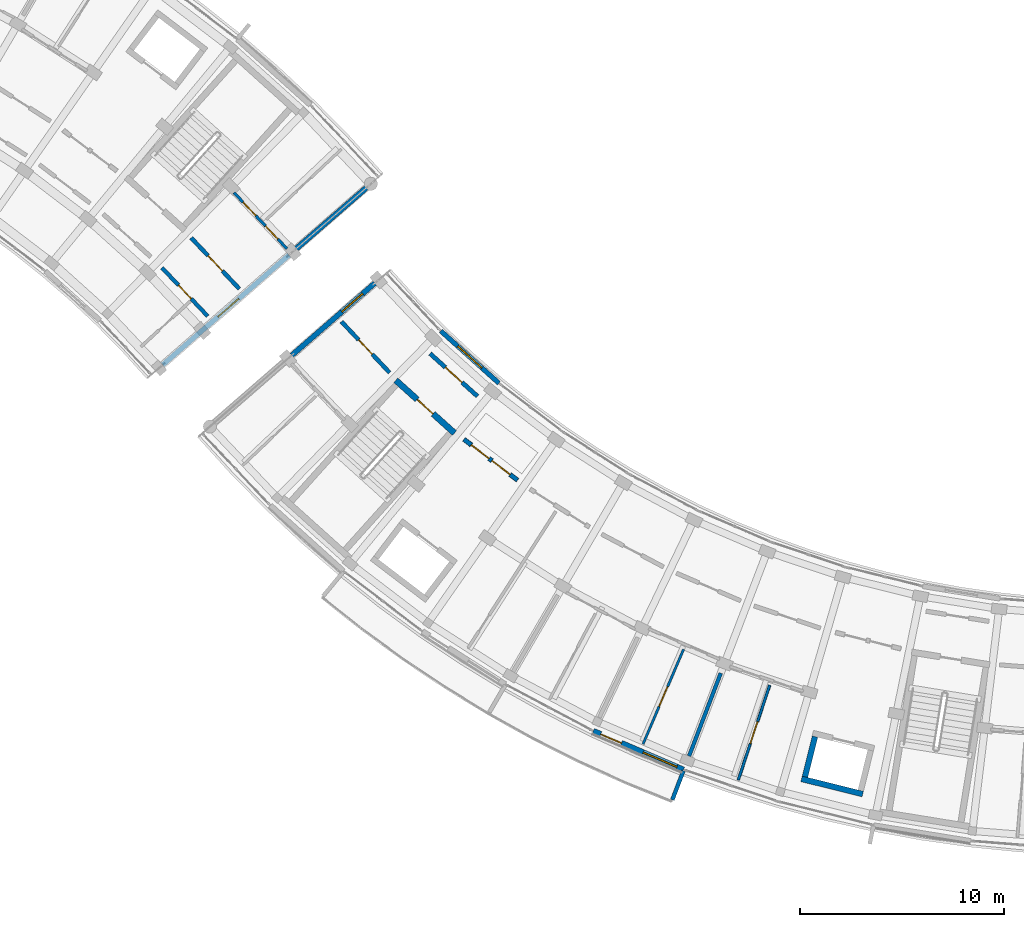
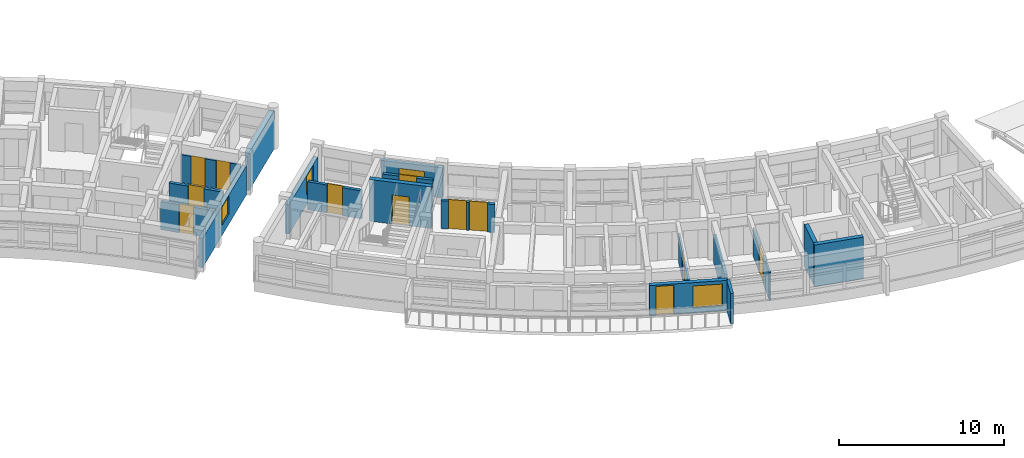
# One storey, part 35 of 50: 18 walls, 12 doors, 4 windows, 16 openings.
"""IFC4 building model written with IfcOpenShell, lengths in metres."""

from ifc_helpers import new_model, si_unit, direction, frame, frame_2d, origin, place, context, subcontext, project, spatial, rectangle, extrude, material, layer, layer_set, type_object, element, fill, save


model = new_model("IFC4")

# Units and contexts
model_context = context("Model", 3, precision=1e-05, world=origin(), true_north=direction((0.0, 1.0)))
body_context = subcontext(model_context, "Body", "Model", "MODEL_VIEW")
ifc_project = project(units=[si_unit("LENGTHUNIT", "METRE"), si_unit("AREAUNIT", "SQUARE_METRE"), si_unit("VOLUMEUNIT", "CUBIC_METRE"), si_unit("PLANEANGLEUNIT", "RADIAN"), si_unit("MASSUNIT", "GRAM", prefix="KILO")], contexts=[model_context])

# Site, building, storey
site_placement = place(None, origin())
site = spatial("IfcSite", under=ifc_project, at=site_placement, CompositionType="ELEMENT")
building_placement = place(site_placement, origin())
building = spatial("IfcBuilding", under=site, at=building_placement, Name="Zimvara Arc Housing Community", CompositionType="ELEMENT")
storey_placement = place(building_placement, frame((0.0, 0.0, 26.699951171875)))
storey = spatial("IfcBuildingStorey", under=building, at=storey_placement, Name="L08", CompositionType="ELEMENT", Elevation=26.699951171875)

# Wall, opening, window
ifc_material_1 = material(Name="Board-Marked Fair-Faced Concrete C35/45", Category="concrete")
ifc_layer_1 = layer(ifc_material_1, 0.22998046875)
ifc_layer_set_1 = layer_set([ifc_layer_1], Name="Board-Marked Fair-Faced Concrete C35/45")
wall_type_1 = type_object("IfcWallType", Name="EWL-CONC-230", PredefinedType="SOLIDWALL", material=ifc_layer_set_1)
wall_1_placement = place(storey_placement, frame((92.8642578125, 75.919921875, 0.0), z_axis=(0.0, 0.0, 1.0), x_axis=(0.743363835609, -0.668887290886, 0.0)))
wall_1 = element("IfcWall", 1, at=wall_1_placement, inside=storey, type_object=wall_type_1, Name="ewall:blkC:L08:in:b1", PredefinedType="SOLIDWALL", context=body_context, shape_type="SweptSolid", body=[
    extrude(rectangle(XDim=3.83203125, YDim=0.22998046875, at=frame_2d((1.916015625, 0.0))), origin(), (0.0, 0.0, 1.0), 2.25),
])
opening_1_placement = place(wall_1_placement, frame((1.1162109375, 0.0, 0.320068359375)))
opening_1 = element("IfcOpeningElement", 2, at=opening_1_placement, cuts=wall_1, Name="Opening W03", PredefinedType="OPENING", context=body_context, shape_type="SweptSolid", body=[
    extrude(rectangle(XDim=1.60009765625, YDim=1.5, at=frame_2d((0.800048828125, 0.75))), frame((0.0, 0.125, 0.0), z_axis=(0.0, -1.0, 0.0), x_axis=(1.0, 0.0, 0.0)), (0.0, 0.0, 1.0), 0.25),
])
ifc_material_2 = material(Name="Solar Control Low-E Double Glazing", Category="glass")
window_type_1 = type_object("IfcWindowType", Name="WIN-RES-1600x1500", PartitioningType="DOUBLE_PANEL_VERTICAL", PredefinedType="WINDOW", material=ifc_material_2)
window_1_placement = place(opening_1_placement, origin())
window_1 = element("IfcWindow", 3, at=window_1_placement, inside=storey, type_object=window_type_1, Name="win:blkC:L08:in:b1", OverallHeight=1.5, OverallWidth=1.60009765625, PartitioningType="DOUBLE_PANEL_VERTICAL", PredefinedType="WINDOW", context=body_context, shape_type="SweptSolid", body=[
    extrude(rectangle(XDim=1.60009765625, YDim=1.5, at=frame_2d((0.800048828125, 0.75))), frame((0.0, 0.030029296875, 0.0), z_axis=(0.0, -1.0, 0.0), x_axis=(1.0, 0.0, 0.0)), (0.0, 0.0, 1.0), 0.06005859375),
])
fill(opening_1, window_1)

ifc_material_3 = material(Name="Board-Marked Fair-Faced Concrete C35/45", Category="concrete")
ifc_layer_2 = layer(ifc_material_3, 0.2548828125)
ifc_layer_set_2 = layer_set([ifc_layer_2], Name="Board-Marked Fair-Faced Concrete C35/45")
wall_type_2 = type_object("IfcWallType", Name="EWL-CONC-255", PredefinedType="SOLIDWALL", material=ifc_layer_set_2)
wall_2_placement = place(storey_placement, frame((79.233642578125, 74.2587890625, 0.0), z_axis=(0.0, 0.0, 1.0), x_axis=(0.754717680958, 0.656049710044, 0.0)))
wall_2 = element("IfcWall", 4, at=wall_2_placement, inside=storey, type_object=wall_type_2, Name="ewall:blkB:L08:gN", PredefinedType="SOLIDWALL", context=body_context, shape_type="SweptSolid", body=[
    extrude(rectangle(XDim=8.199951171875, YDim=0.2548828125, at=frame_2d((4.10009765625, 0.0))), origin(), (0.0, 0.0, 1.0), 2.179931640625),
])
opening_2_placement = place(wall_2_placement, frame((3.590087890625, 0.0, 0.75)))
opening_2 = element("IfcOpeningElement", 5, at=opening_2_placement, cuts=wall_2, Name="Opening W12", PredefinedType="OPENING", context=body_context, shape_type="SweptSolid", body=[
    extrude(rectangle(XDim=1.35009765625, YDim=1.35009765625, at=frame_2d((0.675048828125, 0.675048828125))), frame((0.0, 0.137451171875, 0.0), z_axis=(0.0, -1.0, 0.0), x_axis=(1.0, 0.0, 0.0)), (0.0, 0.0, 1.0), 0.27490234375),
])
ifc_material_4 = material(Name="Solar Control Low-E Double Glazing", Category="glass")
window_type_2 = type_object("IfcWindowType", Name="WIN-RES-1350x1350", PartitioningType="DOUBLE_PANEL_VERTICAL", PredefinedType="WINDOW", material=ifc_material_4)
window_2_placement = place(opening_2_placement, origin())
window_2 = element("IfcWindow", 6, at=window_2_placement, inside=storey, type_object=window_type_2, Name="win:blkB:L08:gN:w", OverallHeight=1.35009765625, OverallWidth=1.35009765625, PartitioningType="DOUBLE_PANEL_VERTICAL", PredefinedType="WINDOW", context=body_context, shape_type="SweptSolid", body=[
    extrude(rectangle(XDim=1.35009765625, YDim=1.35009765625, at=frame_2d((0.675048828125, 0.675048828125))), frame((0.0, 0.030029296875, 0.0), z_axis=(0.0, -1.0, 0.0), x_axis=(1.0, 0.0, 0.0)), (0.0, 0.0, 1.0), 0.06005859375),
])
fill(opening_2, window_2)

wall_3_placement = place(storey_placement, frame((89.63330078125, 78.26416015625, 0.0), z_axis=(0.0, 0.0, 1.0), x_axis=(-0.754709658894, -0.65605893849, 0.0)))
wall_3 = element("IfcWall", 7, at=wall_3_placement, inside=storey, type_object=wall_type_2, Name="ewall:blkC:L08:g0", PredefinedType="SOLIDWALL", context=body_context, shape_type="SweptSolid", body=[
    extrude(rectangle(XDim=5.39990234375, YDim=0.2548828125, at=frame_2d((2.699951171875, 0.0))), origin(), (0.0, 0.0, 1.0), 2.179931640625),
])
opening_3_placement = place(wall_3_placement, frame((0.7900390625, 0.0, 0.75)))
opening_3 = element("IfcOpeningElement", 8, at=opening_3_placement, cuts=wall_3, Name="Opening W12", PredefinedType="OPENING", context=body_context, shape_type="SweptSolid", body=[
    extrude(rectangle(XDim=1.35009765625, YDim=1.35009765625, at=frame_2d((0.675048828125, 0.675048828125))), frame((0.0, 0.137451171875, 0.0), z_axis=(0.0, -1.0, 0.0), x_axis=(1.0, 0.0, 0.0)), (0.0, 0.0, 1.0), 0.27490234375),
])
window_3_placement = place(opening_3_placement, origin())
window_3 = element("IfcWindow", 9, at=window_3_placement, inside=storey, type_object=window_type_2, Name="win:blkC:L08:g0:w", OverallHeight=1.35009765625, OverallWidth=1.35009765625, PartitioningType="DOUBLE_PANEL_VERTICAL", PredefinedType="WINDOW", context=body_context, shape_type="SweptSolid", body=[
    extrude(rectangle(XDim=1.35009765625, YDim=1.35009765625, at=frame_2d((0.675048828125, 0.675048828125))), frame((0.0, 0.030029296875, 0.0), z_axis=(0.0, -1.0, 0.0), x_axis=(1.0, 0.0, 0.0)), (0.0, 0.0, 1.0), 0.06005859375),
])
fill(opening_3, window_3)

# Wall
ifc_material_5 = material(Name="Board-Marked Fair-Faced Concrete C35/45", Category="concrete")
ifc_layer_3 = layer(ifc_material_5, 0.195068359375)
ifc_layer_set_3 = layer_set([ifc_layer_3], Name="Board-Marked Fair-Faced Concrete C35/45")
wall_type_3 = type_object("IfcWallType", Name="EWL-PARA-195", PredefinedType="PARAPET", material=ifc_layer_set_3)
wall_4_placement = place(storey_placement, frame((104.76318359375, 54.35693359375, 0.0), z_axis=(0.0, 0.0, 1.0), x_axis=(-0.356957296461, -0.934120703391, 0.0)))
element("IfcWall", 10, at=wall_4_placement, inside=storey, type_object=wall_type_3, Name="finwall:blkC:L08:out:b6", PredefinedType="PARAPET", context=body_context, shape_type="SweptSolid", body=[
    extrude(rectangle(XDim=1.530029296875, YDim=0.195068359375, at=frame_2d((0.76513671875, 0.0))), origin(), (0.0, 0.0, 1.0), 2.25),
])

# Wall, openings, door, window
ifc_material_6 = material(Name="Board-Marked Fair-Faced Concrete C35/45", Category="concrete")
ifc_layer_4 = layer(ifc_material_6, 0.281982421875)
ifc_layer_set_4 = layer_set([ifc_layer_4], Name="Board-Marked Fair-Faced Concrete C35/45")
wall_type_4 = type_object("IfcWallType", Name="EWL-VAR-24", PredefinedType="SOLIDWALL", material=ifc_layer_set_4)
wall_5_placement = place(storey_placement, frame((100.341064453125, 56.30126953125, 0.0), z_axis=(0.0, 0.0, 1.0), x_axis=(0.918737524932, -0.39486878869, 0.0)))
wall_5 = element("IfcWall", 11, at=wall_5_placement, inside=storey, type_object=wall_type_4, Name="ewall:blkC:L08:out:b5", PredefinedType="SOLIDWALL", context=body_context, shape_type="SweptSolid", body=[
    extrude(rectangle(XDim=4.80908203125, YDim=0.281982421875, at=frame_2d((2.404541015625, 0.0))), origin(), (0.0, 0.0, 1.0), 2.25),
])
opening_4_placement = place(wall_5_placement, frame((0.39990234375, 0.0, 0.0)))
opening_4 = element("IfcOpeningElement", 12, at=opening_4_placement, cuts=wall_5, Name="Opening ED06", PredefinedType="OPENING", context=body_context, shape_type="SweptSolid", body=[
    extrude(rectangle(XDim=1.10009765625, YDim=2.14990234375, at=frame_2d((0.550048828125, 1.074951171875))), frame((0.0, 0.15087890625, 0.0), z_axis=(0.0, -1.0, 0.0), x_axis=(1.0, 0.0, 0.0)), (0.0, 0.0, 1.0), 0.302001953125),
])
opening_5_placement = place(wall_5_placement, frame((2.658935546875, 0.0, 0.35009765625)))
opening_5 = element("IfcOpeningElement", 13, at=opening_5_placement, cuts=wall_5, Name="Opening W08", PredefinedType="OPENING", context=body_context, shape_type="SweptSolid", body=[
    extrude(rectangle(XDim=1.800048828125, YDim=1.64990234375, at=frame_2d((0.89990234375, 0.824951171875))), frame((0.0, 0.15087890625, 0.0), z_axis=(0.0, -1.0, 0.0), x_axis=(1.0, 0.0, 0.0)), (0.0, 0.0, 1.0), 0.302001953125),
])
ifc_material_7 = material(Name="Anodised Aluminium AW-6063", Category="aluminium")
door_type_1 = type_object("IfcDoorType", Name="EDR-TERR-1100x2150", OperationType="NOTDEFINED", PredefinedType="DOOR", material=ifc_material_7)
door_1_placement = place(opening_4_placement, origin())
door_1 = element("IfcDoor", 14, at=door_1_placement, inside=storey, type_object=door_type_1, Name="edoor:blkC:L08:bal_out:b5", OperationType="SINGLE_SWING_LEFT", OverallHeight=2.14990234375, OverallWidth=1.10009765625, PredefinedType="DOOR", context=body_context, shape_type="SweptSolid", body=[
    extrude(rectangle(XDim=1.10009765625, YDim=2.14990234375, at=frame_2d((0.550048828125, 1.074951171875))), frame((0.0, 0.02490234375, 0.0), z_axis=(0.0, -1.0, 0.0), x_axis=(1.0, 0.0, 0.0)), (0.0, 0.0, 1.0), 0.050048828125),
])
fill(opening_4, door_1)
ifc_material_8 = material(Name="Solar Control Low-E Double Glazing", Category="glass")
window_type_3 = type_object("IfcWindowType", Name="WIN-RES-1800x1650", PartitioningType="TRIPLE_PANEL_VERTICAL", PredefinedType="WINDOW", material=ifc_material_8)
window_4_placement = place(opening_5_placement, origin())
window_4 = element("IfcWindow", 15, at=window_4_placement, inside=storey, type_object=window_type_3, Name="win:blkC:L08:out:b5:balw", OverallHeight=1.64990234375, OverallWidth=1.800048828125, PartitioningType="TRIPLE_PANEL_VERTICAL", PredefinedType="WINDOW", context=body_context, shape_type="SweptSolid", body=[
    extrude(rectangle(XDim=1.800048828125, YDim=1.64990234375, at=frame_2d((0.89990234375, 0.824951171875))), frame((0.0, 0.030029296875, 0.0), z_axis=(0.0, -1.0, 0.0), x_axis=(1.0, 0.0, 0.0)), (0.0, 0.0, 1.0), 0.06005859375),
])
fill(opening_5, window_4)

# Wall, opening, door
ifc_material_9 = material(Name="Concrete C35/45", Category="concrete")
ifc_layer_5 = layer(ifc_material_9, 0.2099609375)
ifc_layer_set_5 = layer_set([ifc_layer_5], Name="Concrete C35/45")
wall_type_5 = type_object("IfcWallType", Name="IWL-CCF-210", PredefinedType="SOLIDWALL", material=ifc_layer_set_5)
wall_6_placement = place(storey_placement, frame((92.337158203125, 74.808349609375, 0.0), z_axis=(0.0, 0.0, 1.0), x_axis=(0.743348465558, -0.668904371904, 0.0)))
wall_6 = element("IfcWall", 16, at=wall_6_placement, inside=storey, type_object=wall_type_5, Name="iwall:blkC:L08:ccf_div:b1", PredefinedType="SOLIDWALL", context=body_context, shape_type="SweptSolid", body=[
    extrude(rectangle(XDim=3.128662109375, YDim=0.2099609375, at=frame_2d((1.564453125, 0.0))), origin(), (0.0, 0.0, 1.0), 2.080078125),
])
opening_6_placement = place(wall_6_placement, frame((1.014404296875, 0.0, 0.0)))
opening_6 = element("IfcOpeningElement", 17, at=opening_6_placement, cuts=wall_6, Name="Opening FD-CCF1", PredefinedType="OPENING", context=body_context, shape_type="SweptSolid", body=[
    extrude(rectangle(XDim=1.10009765625, YDim=2.14990234375, at=frame_2d((0.550048828125, 1.074951171875))), frame((0.0, 0.114990234375, 0.0), z_axis=(0.0, -1.0, 0.0), x_axis=(1.0, 0.0, 0.0)), (0.0, 0.0, 1.0), 0.22998046875),
])
ifc_material_10 = material(Name="Anodised Aluminium AW-6063", Category="aluminium")
door_type_2 = type_object("IfcDoorType", Name="IDR-CCF-1100x2150", OperationType="NOTDEFINED", PredefinedType="DOOR", material=ifc_material_10)
door_2_placement = place(opening_6_placement, origin())
door_2 = element("IfcDoor", 18, at=door_2_placement, inside=storey, type_object=door_type_2, Name="idoor:blkC:L08:ccf_in:b1", OperationType="SINGLE_SWING_LEFT", OverallHeight=2.14990234375, OverallWidth=1.10009765625, PredefinedType="DOOR", context=body_context, shape_type="SweptSolid", body=[
    extrude(rectangle(XDim=1.10009765625, YDim=2.14990234375, at=frame_2d((0.550048828125, 1.074951171875))), frame((0.0, 0.02490234375, 0.0), z_axis=(0.0, -1.0, 0.0), x_axis=(1.0, 0.0, 0.0)), (0.0, 0.0, 1.0), 0.050048828125),
])
fill(opening_6, door_2)

# Wall, openings, doors
wall_7_placement = place(storey_placement, frame((94.001220703125, 70.6015625, 0.0), z_axis=(0.0, 0.0, 1.0), x_axis=(0.795498026433, -0.605956178235, 0.0)))
wall_7 = element("IfcWall", 19, at=wall_7_placement, inside=storey, type_object=wall_type_5, Name="iwall:blkC:L08:ll_div:b2", PredefinedType="SOLIDWALL", context=body_context, shape_type="SweptSolid", body=[
    extrude(rectangle(XDim=3.296142578125, YDim=0.2099609375, at=frame_2d((1.64794921875, 0.0))), origin(), (0.0, 0.0, 1.0), 2.080078125),
])
opening_7_placement = place(wall_7_placement, frame((0.449951171875, 0.0, 0.0)))
opening_7 = element("IfcOpeningElement", 20, at=opening_7_placement, cuts=wall_7, Name="Opening FD-CCF1", PredefinedType="OPENING", context=body_context, shape_type="SweptSolid", body=[
    extrude(rectangle(XDim=1.10009765625, YDim=2.14990234375, at=frame_2d((0.550048828125, 1.074951171875))), frame((0.0, 0.114990234375, 0.0), z_axis=(0.0, -1.0, 0.0), x_axis=(1.0, 0.0, 0.0)), (0.0, 0.0, 1.0), 0.22998046875),
])
opening_8_placement = place(wall_7_placement, frame((1.72607421875, 0.0, 0.0)))
opening_8 = element("IfcOpeningElement", 21, at=opening_8_placement, cuts=wall_7, Name="Opening D07", PredefinedType="OPENING", context=body_context, shape_type="SweptSolid", body=[
    extrude(rectangle(XDim=1.1201171875, YDim=2.14990234375, at=frame_2d((0.56005859375, 1.074951171875))), frame((0.0, 0.114990234375, 0.0), z_axis=(0.0, -1.0, 0.0), x_axis=(1.0, 0.0, 0.0)), (0.0, 0.0, 1.0), 0.22998046875),
])
ifc_material_11 = material(Name="Mozambican Hardwood", Category="wood")
door_type_3 = type_object("IfcDoorType", Name="IDR-AMN-1120x2150", OperationType="NOTDEFINED", PredefinedType="DOOR", material=ifc_material_11)
door_3_placement = place(opening_8_placement, origin())
door_3 = element("IfcDoor", 22, at=door_3_placement, inside=storey, type_object=door_type_3, Name="idoor:blkC:L08:rs_in:b2", OperationType="SINGLE_SWING_LEFT", OverallHeight=2.14990234375, OverallWidth=1.1201171875, PredefinedType="DOOR", context=body_context, shape_type="SweptSolid", body=[
    extrude(rectangle(XDim=1.1201171875, YDim=2.14990234375, at=frame_2d((0.56005859375, 1.074951171875))), frame((0.0, 0.02490234375, 0.0), z_axis=(0.0, -1.0, 0.0), x_axis=(1.0, 0.0, 0.0)), (0.0, 0.0, 1.0), 0.050048828125),
])
fill(opening_8, door_3)
door_4_placement = place(opening_7_placement, origin())
door_4 = element("IfcDoor", 23, at=door_4_placement, inside=storey, type_object=door_type_2, Name="idoor:blkC:L08:ll_in:b2", OperationType="SINGLE_SWING_RIGHT", OverallHeight=2.14990234375, OverallWidth=1.10009765625, PredefinedType="DOOR", context=body_context, shape_type="SweptSolid", body=[
    extrude(rectangle(XDim=1.10009765625, YDim=2.14990234375, at=frame_2d((0.550048828125, 1.074951171875))), frame((0.0, 0.02490234375, 0.0), z_axis=(0.0, -1.0, 0.0), x_axis=(1.0, 0.0, 0.0)), (0.0, 0.0, 1.0), 0.050048828125),
])
fill(opening_7, door_4)

# Wall, opening, door
ifc_material_12 = material(Name="Concrete C35/45", Category="concrete")
ifc_layer_6 = layer(ifc_material_12, 0.18994140625)
ifc_layer_set_6 = layer_set([ifc_layer_6], Name="Concrete C35/45")
wall_type_6 = type_object("IfcWallType", Name="IWL-CORR-190", PredefinedType="SOLIDWALL", material=ifc_layer_set_6)
wall_8_placement = place(storey_placement, frame((79.1953125, 79.016357421875, 0.0), z_axis=(0.0, 0.0, 1.0), x_axis=(0.686307658735, -0.727311348434, 0.0)))
wall_8 = element("IfcWall", 24, at=wall_8_placement, inside=storey, type_object=wall_type_6, Name="iwall:blkB:L08:corr_in:b9", PredefinedType="SOLIDWALL", context=body_context, shape_type="SweptSolid", body=[
    extrude(rectangle(XDim=3.268798828125, YDim=0.18994140625, at=frame_2d((1.63427734375, 0.0))), origin(), (0.0, 0.0, 1.0), 2.080078125),
])
opening_9_placement = place(wall_8_placement, frame((1.17431640625, 0.0, 0.0)))
opening_9 = element("IfcOpeningElement", 25, at=opening_9_placement, cuts=wall_8, Name="Opening D02", PredefinedType="OPENING", context=body_context, shape_type="SweptSolid", body=[
    extrude(rectangle(XDim=0.919921875, YDim=2.10009765625, at=frame_2d((0.4599609375, 1.050048828125))), frame((0.0, 0.10498046875, 0.0), z_axis=(0.0, -1.0, 0.0), x_axis=(1.0, 0.0, 0.0)), (0.0, 0.0, 1.0), 0.2099609375),
])
ifc_material_13 = material(Name="Mozambican Hardwood", Category="wood")
door_type_4 = type_object("IfcDoorType", Name="IDR-RM-0920x2100", OperationType="NOTDEFINED", PredefinedType="DOOR", material=ifc_material_13)
door_5_placement = place(opening_9_placement, origin())
door_5 = element("IfcDoor", 26, at=door_5_placement, inside=storey, type_object=door_type_4, Name="idoor:blkB:L08:in_rm:b9", OperationType="SINGLE_SWING_LEFT", OverallHeight=2.10009765625, OverallWidth=0.919921875, PredefinedType="DOOR", context=body_context, shape_type="SweptSolid", body=[
    extrude(rectangle(XDim=0.919921875, YDim=2.10009765625, at=frame_2d((0.4599609375, 1.050048828125))), frame((0.0, 0.02490234375, 0.0), z_axis=(0.0, -1.0, 0.0), x_axis=(1.0, 0.0, 0.0)), (0.0, 0.0, 1.0), 0.050048828125),
])
fill(opening_9, door_5)

ifc_material_14 = material(Name="Concrete C35/45", Category="concrete")
ifc_layer_7 = layer(ifc_material_14, 0.199951171875)
ifc_layer_set_7 = layer_set([ifc_layer_7], Name="Concrete C35/45")
wall_type_7 = type_object("IfcWallType", Name="IWL-CORR-200", PredefinedType="SOLIDWALL", material=ifc_layer_set_7)
wall_9_placement = place(storey_placement, frame((80.627685546875, 80.48291015625, 0.0), z_axis=(0.0, 0.0, 1.0), x_axis=(0.686310507227, -0.727308660522, 0.0)))
wall_9 = element("IfcWall", 27, at=wall_9_placement, inside=storey, type_object=wall_type_7, Name="iwall:blkB:L08:corr_out:b9", PredefinedType="SOLIDWALL", context=body_context, shape_type="SweptSolid", body=[
    extrude(rectangle(XDim=3.43603515625, YDim=0.199951171875, at=frame_2d((1.718017578125, 0.0))), origin(), (0.0, 0.0, 1.0), 2.080078125),
])
opening_10_placement = place(wall_9_placement, frame((1.2080078125, 0.0, 0.0)))
opening_10 = element("IfcOpeningElement", 28, at=opening_10_placement, cuts=wall_9, Name="Opening FD-FL2", PredefinedType="OPENING", context=body_context, shape_type="SweptSolid", body=[
    extrude(rectangle(XDim=1.02001953125, YDim=2.14990234375, at=frame_2d((0.510009765625, 1.074951171875))), frame((0.0, 0.10986328125, 0.0), z_axis=(0.0, -1.0, 0.0), x_axis=(1.0, 0.0, 0.0)), (0.0, 0.0, 1.0), 0.219970703125),
])
ifc_material_15 = material(Name="Mozambican Hardwood", Category="wood")
door_type_5 = type_object("IfcDoorType", Name="IDR-FLAT-1020x2150", OperationType="NOTDEFINED", PredefinedType="DOOR", material=ifc_material_15)
door_6_placement = place(opening_10_placement, origin())
door_6 = element("IfcDoor", 29, at=door_6_placement, inside=storey, type_object=door_type_5, Name="idoor:blkB:L08:flat:b9", OperationType="SINGLE_SWING_RIGHT", OverallHeight=2.14990234375, OverallWidth=1.02001953125, PredefinedType="DOOR", context=body_context, shape_type="SweptSolid", body=[
    extrude(rectangle(XDim=1.02001953125, YDim=2.14990234375, at=frame_2d((0.510009765625, 1.074951171875))), frame((0.0, 0.02490234375, 0.0), z_axis=(0.0, -1.0, 0.0), x_axis=(1.0, 0.0, 0.0)), (0.0, 0.0, 1.0), 0.050048828125),
])
fill(opening_10, door_6)

wall_10_placement = place(storey_placement, frame((87.994140625, 76.3759765625, 0.0), z_axis=(0.0, 0.0, 1.0), x_axis=(0.686310507227, -0.727308660522, 0.0)))
wall_10 = element("IfcWall", 30, at=wall_10_placement, inside=storey, type_object=wall_type_7, Name="iwall:blkC:L08:corr_out:b0", PredefinedType="SOLIDWALL", context=body_context, shape_type="SweptSolid", body=[
    extrude(rectangle(XDim=3.43603515625, YDim=0.199951171875, at=frame_2d((1.718017578125, 0.0))), origin(), (0.0, 0.0, 1.0), 2.080078125),
])
opening_11_placement = place(wall_10_placement, frame((1.22802734375, 0.0, 0.0)))
opening_11 = element("IfcOpeningElement", 31, at=opening_11_placement, cuts=wall_10, Name="Opening FD-FL1", PredefinedType="OPENING", context=body_context, shape_type="SweptSolid", body=[
    extrude(rectangle(XDim=0.97998046875, YDim=2.14990234375, at=frame_2d((0.489990234375, 1.074951171875))), frame((0.0, 0.10986328125, 0.0), z_axis=(0.0, -1.0, 0.0), x_axis=(1.0, 0.0, 0.0)), (0.0, 0.0, 1.0), 0.219970703125),
])
ifc_material_16 = material(Name="Mozambican Hardwood", Category="wood")
door_type_6 = type_object("IfcDoorType", Name="IDR-FLAT-0980x2150", OperationType="NOTDEFINED", PredefinedType="DOOR", material=ifc_material_16)
door_7_placement = place(opening_11_placement, origin())
door_7 = element("IfcDoor", 32, at=door_7_placement, inside=storey, type_object=door_type_6, Name="idoor:blkC:L08:flat:b0", OperationType="SINGLE_SWING_LEFT", OverallHeight=2.14990234375, OverallWidth=0.97998046875, PredefinedType="DOOR", context=body_context, shape_type="SweptSolid", body=[
    extrude(rectangle(XDim=0.97998046875, YDim=2.14990234375, at=frame_2d((0.489990234375, 1.074951171875))), frame((0.0, 0.02490234375, 0.0), z_axis=(0.0, -1.0, 0.0), x_axis=(1.0, 0.0, 0.0)), (0.0, 0.0, 1.0), 0.050048828125),
])
fill(opening_11, door_7)

# Wall
ifc_material_17 = material(Name="Concrete C35/45", Category="concrete")
ifc_layer_8 = layer(ifc_material_17, 0.18505859375)
ifc_layer_set_8 = layer_set([ifc_layer_8], Name="Concrete C35/45")
wall_type_8 = type_object("IfcWallType", Name="IWL-FLAT-185", PredefinedType="SOLIDWALL", material=ifc_layer_set_8)
wall_11_placement = place(storey_placement, frame((106.59130859375, 59.139404296875, 0.0), z_axis=(0.0, 0.0, 1.0), x_axis=(-0.357064016205, -0.934079915388, 0.0)))
element("IfcWall", 33, at=wall_11_placement, inside=storey, type_object=wall_type_8, Name="iwall:blkC:L08:party:b6", PredefinedType="SOLIDWALL", context=body_context, shape_type="SweptSolid", body=[
    extrude(rectangle(XDim=4.35009765625, YDim=0.18505859375, at=frame_2d((2.175048828125, 0.0))), origin(), (0.0, 0.0, 1.0), 2.080078125),
])

# Wall, opening, door
ifc_material_18 = material(Name="Painted Acoustic Plasterboard")
ifc_layer_9 = layer(ifc_material_18, 0.1201171875)
ifc_layer_set_9 = layer_set([ifc_layer_9], Name="Painted Acoustic Plasterboard")
wall_type_9 = type_object("IfcWallType", Name="IWL-PART-120", PredefinedType="PARTITIONING", material=ifc_layer_set_9)
wall_12_placement = place(storey_placement, frame((104.769287109375, 60.308837890625, 0.0), z_axis=(0.0, 0.0, 1.0), x_axis=(-0.393522505308, -0.919314982917, 0.0)))
wall_12 = element("IfcWall", 34, at=wall_12_placement, inside=storey, type_object=wall_type_9, Name="iwall:blkC:L08:bed_div:b5", PredefinedType="PARTITIONING", context=body_context, shape_type="SweptSolid", body=[
    extrude(rectangle(XDim=5.050048828125, YDim=0.1201171875, at=frame_2d((2.52490234375, 0.0))), origin(), (0.0, 0.0, 1.0), 2.080078125),
])
opening_12_placement = place(wall_12_placement, frame((1.9951171875, 0.0, 0.0)))
opening_12 = element("IfcOpeningElement", 35, at=opening_12_placement, cuts=wall_12, Name="Opening D16", PredefinedType="OPENING", context=body_context, shape_type="SweptSolid", body=[
    extrude(rectangle(XDim=1.06005859375, YDim=2.10009765625, at=frame_2d((0.530029296875, 1.050048828125))), frame((0.0, 0.070068359375, 0.0), z_axis=(0.0, -1.0, 0.0), x_axis=(1.0, 0.0, 0.0)), (0.0, 0.0, 1.0), 0.14013671875),
])
ifc_material_19 = material(Name="Mozambican Hardwood", Category="wood")
door_type_7 = type_object("IfcDoorType", Name="IDR-MOD-1060x2220", OperationType="NOTDEFINED", PredefinedType="DOOR", material=ifc_material_19)
door_8_placement = place(opening_12_placement, origin())
door_8 = element("IfcDoor", 36, at=door_8_placement, inside=storey, type_object=door_type_7, Name="idoor:blkC:L08:bed_d:b5", OperationType="SINGLE_SWING_RIGHT", OverallHeight=2.10009765625, OverallWidth=1.06005859375, PredefinedType="DOOR", context=body_context, shape_type="SweptSolid", body=[
    extrude(rectangle(XDim=1.06005859375, YDim=2.10009765625, at=frame_2d((0.530029296875, 1.050048828125))), frame((0.0, 0.02490234375, 0.0), z_axis=(0.0, -1.0, 0.0), x_axis=(1.0, 0.0, 0.0)), (0.0, 0.0, 1.0), 0.050048828125),
])
fill(opening_12, door_8)

wall_13_placement = place(storey_placement, frame((108.989990234375, 58.5498046875, 0.0), z_axis=(0.0, 0.0, 1.0), x_axis=(-0.314343770763, -0.949309219266, 0.0)))
wall_13 = element("IfcWall", 37, at=wall_13_placement, inside=storey, type_object=wall_type_9, Name="iwall:blkC:L08:bed_div:b6", PredefinedType="PARTITIONING", context=body_context, shape_type="SweptSolid", body=[
    extrude(rectangle(XDim=4.89990234375, YDim=0.1201171875, at=frame_2d((2.449951171875, 0.0))), origin(), (0.0, 0.0, 1.0), 2.080078125),
])
opening_13_placement = place(wall_13_placement, frame((1.885009765625, 0.0, 0.0)))
opening_13 = element("IfcOpeningElement", 38, at=opening_13_placement, cuts=wall_13, Name="Opening D17", PredefinedType="OPENING", context=body_context, shape_type="SweptSolid", body=[
    extrude(rectangle(XDim=1.1298828125, YDim=2.10009765625, at=frame_2d((0.56494140625, 1.050048828125))), frame((0.0, 0.070068359375, 0.0), z_axis=(0.0, -1.0, 0.0), x_axis=(1.0, 0.0, 0.0)), (0.0, 0.0, 1.0), 0.14013671875),
])
ifc_material_20 = material(Name="Mozambican Hardwood", Category="wood")
door_type_8 = type_object("IfcDoorType", Name="IDR-MOD-1130x2240", OperationType="NOTDEFINED", PredefinedType="DOOR", material=ifc_material_20)
door_9_placement = place(opening_13_placement, origin())
door_9 = element("IfcDoor", 39, at=door_9_placement, inside=storey, type_object=door_type_8, Name="idoor:blkC:L08:bed_d:b6", OperationType="SINGLE_SWING_RIGHT", OverallHeight=2.10009765625, OverallWidth=1.1298828125, PredefinedType="DOOR", context=body_context, shape_type="SweptSolid", body=[
    extrude(rectangle(XDim=1.1298828125, YDim=2.10009765625, at=frame_2d((0.56494140625, 1.050048828125))), frame((0.0, 0.02490234375, 0.0), z_axis=(0.0, -1.0, 0.0), x_axis=(1.0, 0.0, 0.0)), (0.0, 0.0, 1.0), 0.050048828125),
])
fill(opening_13, door_9)

# Wall, openings, doors
ifc_material_21 = material(Name="Painted Acoustic Plasterboard")
ifc_layer_10 = layer(ifc_material_21, 0.139892578125)
ifc_layer_set_10 = layer_set([ifc_layer_10], Name="Painted Acoustic Plasterboard")
wall_type_10 = type_object("IfcWallType", Name="IWL-PART-140", PredefinedType="PARTITIONING", material=ifc_layer_set_10)
wall_14_placement = place(storey_placement, frame((82.72412109375, 82.701416015625, 0.0), z_axis=(0.0, 0.0, 1.0), x_axis=(0.686331812627, -0.72728855551, 0.0)))
wall_14 = element("IfcWall", 40, at=wall_14_placement, inside=storey, type_object=wall_type_10, Name="iwall:blkB:L08:srv:b9", PredefinedType="PARTITIONING", context=body_context, shape_type="SweptSolid", body=[
    extrude(rectangle(XDim=3.78515625, YDim=0.139892578125, at=frame_2d((1.892578125, 0.0))), origin(), (0.0, 0.0, 1.0), 2.080078125),
])
opening_14_placement = place(wall_14_placement, frame((0.64990234375, 0.0, 0.0)))
opening_14 = element("IfcOpeningElement", 41, at=opening_14_placement, cuts=wall_14, Name="Opening D01", PredefinedType="OPENING", context=body_context, shape_type="SweptSolid", body=[
    extrude(rectangle(XDim=0.89990234375, YDim=2.10009765625, at=frame_2d((0.449951171875, 1.050048828125))), frame((0.0, 0.079833984375, 0.0), z_axis=(0.0, -1.0, 0.0), x_axis=(1.0, 0.0, 0.0)), (0.0, 0.0, 1.0), 0.159912109375),
])
opening_15_placement = place(wall_14_placement, frame((2.255126953125, 0.0, 0.0)))
opening_15 = element("IfcOpeningElement", 42, at=opening_15_placement, cuts=wall_14, Name="Opening D05", PredefinedType="OPENING", context=body_context, shape_type="SweptSolid", body=[
    extrude(rectangle(XDim=0.8798828125, YDim=2.10009765625, at=frame_2d((0.43994140625, 1.050048828125))), frame((0.0, 0.079833984375, 0.0), z_axis=(0.0, -1.0, 0.0), x_axis=(1.0, 0.0, 0.0)), (0.0, 0.0, 1.0), 0.159912109375),
])
ifc_material_22 = material(Name="Mozambican Hardwood", Category="wood")
door_type_9 = type_object("IfcDoorType", Name="IDR-RM-0900x2100", OperationType="NOTDEFINED", PredefinedType="DOOR", material=ifc_material_22)
door_10_placement = place(opening_14_placement, origin())
door_10 = element("IfcDoor", 43, at=door_10_placement, inside=storey, type_object=door_type_9, Name="idoor:blkB:L08:kit_liv:b9", OperationType="SINGLE_SWING_LEFT", OverallHeight=2.10009765625, OverallWidth=0.89990234375, PredefinedType="DOOR", context=body_context, shape_type="SweptSolid", body=[
    extrude(rectangle(XDim=0.89990234375, YDim=2.10009765625, at=frame_2d((0.449951171875, 1.050048828125))), frame((0.0, 0.02490234375, 0.0), z_axis=(0.0, -1.0, 0.0), x_axis=(1.0, 0.0, 0.0)), (0.0, 0.0, 1.0), 0.050048828125),
])
fill(opening_14, door_10)
ifc_material_23 = material(Name="Mozambican Hardwood", Category="wood")
door_type_10 = type_object("IfcDoorType", Name="IDR-WC-0880x2100", OperationType="NOTDEFINED", PredefinedType="DOOR", material=ifc_material_23)
door_11_placement = place(opening_15_placement, origin())
door_11 = element("IfcDoor", 44, at=door_11_placement, inside=storey, type_object=door_type_10, Name="idoor:blkB:L08:bath_d:b9", OperationType="SINGLE_SWING_RIGHT", OverallHeight=2.10009765625, OverallWidth=0.8798828125, PredefinedType="DOOR", context=body_context, shape_type="SweptSolid", body=[
    extrude(rectangle(XDim=0.8798828125, YDim=2.10009765625, at=frame_2d((0.43994140625, 1.050048828125))), frame((0.0, 0.02490234375, 0.0), z_axis=(0.0, -1.0, 0.0), x_axis=(1.0, 0.0, 0.0)), (0.0, 0.0, 1.0), 0.050048828125),
])
fill(opening_15, door_11)

# Walls
ifc_material_24 = material(Name="Concrete C40/50", Category="concrete")
ifc_layer_11 = layer(ifc_material_24, 0.280029296875)
ifc_layer_set_11 = layer_set([ifc_layer_11], Name="Concrete C40/50")
wall_type_11 = type_object("IfcWallType", Name="WL-CORE-280", PredefinedType="SHEAR", material=ifc_layer_set_11)
wall_15_placement = place(storey_placement, frame((110.552978515625, 53.953857421875, 0.0), z_axis=(0.0, 0.0, 1.0), x_axis=(0.970725280816, -0.240192483614, 0.0)))
element("IfcWall", 45, at=wall_15_placement, inside=storey, type_object=wall_type_11, Name="lwall:LP-C2:L08:back", PredefinedType="SHEAR", context=body_context, shape_type="SweptSolid", body=[
    extrude(rectangle(XDim=3.090087890625, YDim=0.280029296875, at=frame_2d((1.544921875, 0.0))), origin(), (0.0, 0.0, 1.0), 3.10009765625),
])
wall_16_placement = place(storey_placement, frame((111.210205078125, 56.026611328125, 0.0), z_axis=(0.0, 0.0, 1.0), x_axis=(-0.240186044774, -0.970726873995, 0.0)))
element("IfcWall", 46, at=wall_16_placement, inside=storey, type_object=wall_type_11, Name="lwall:LP-C2:L08:left", PredefinedType="SHEAR", context=body_context, shape_type="SweptSolid", body=[
    extrude(rectangle(XDim=2.02978515625, YDim=0.280029296875, at=frame_2d((1.014892578125, 0.0))), origin(), (0.0, 0.0, 1.0), 3.10009765625),
])

# Wall, opening, door
ifc_material_25 = material(Name="Concrete C40/50", Category="concrete")
ifc_layer_12 = layer(ifc_material_25, 0.300048828125)
ifc_layer_set_12 = layer_set([ifc_layer_12], Name="Concrete C40/50")
wall_type_12 = type_object("IfcWallType", Name="WL-CORE-300", PredefinedType="SHEAR", material=ifc_layer_set_12)
wall_17_placement = place(storey_placement, frame((90.659912109375, 73.49853515625, 0.0), z_axis=(0.0, 0.0, 1.0), x_axis=(0.743375696158, -0.668874109501, 0.0)))
wall_17 = element("IfcWall", 47, at=wall_17_placement, inside=storey, type_object=wall_type_12, Name="cwall:ST-C1:L08:near", PredefinedType="SHEAR", context=body_context, shape_type="SweptSolid", body=[
    extrude(rectangle(XDim=3.8701171875, YDim=0.300048828125, at=frame_2d((1.93505859375, 0.0))), origin(), (0.0, 0.0, 1.0), 3.10009765625),
])
opening_16_placement = place(wall_17_placement, frame((1.409912109375, 0.0, 0.0)))
opening_16 = element("IfcOpeningElement", 48, at=opening_16_placement, cuts=wall_17, Name="Opening FD-ST2", PredefinedType="OPENING", context=body_context, shape_type="SweptSolid", body=[
    extrude(rectangle(XDim=1.050048828125, YDim=2.14990234375, at=frame_2d((0.52490234375, 1.074951171875))), frame((0.0, 0.159912109375, 0.0), z_axis=(0.0, -1.0, 0.0), x_axis=(1.0, 0.0, 0.0)), (0.0, 0.0, 1.0), 0.320068359375),
])
ifc_material_26 = material(Name="Anodised Aluminium AW-6063", Category="aluminium")
door_type_11 = type_object("IfcDoorType", Name="IDR-ST-1050x2150", OperationType="NOTDEFINED", PredefinedType="DOOR", material=ifc_material_26)
door_12_placement = place(opening_16_placement, origin())
door_12 = element("IfcDoor", 49, at=door_12_placement, inside=storey, type_object=door_type_11, Name="idoor:ST-C1:L08:entry", OperationType="SINGLE_SWING_RIGHT", OverallHeight=2.14990234375, OverallWidth=1.050048828125, PredefinedType="DOOR", context=body_context, shape_type="SweptSolid", body=[
    extrude(rectangle(XDim=1.050048828125, YDim=2.14990234375, at=frame_2d((0.52490234375, 1.074951171875))), frame((0.0, 0.02490234375, 0.0), z_axis=(0.0, -1.0, 0.0), x_axis=(1.0, 0.0, 0.0)), (0.0, 0.0, 1.0), 0.050048828125),
])
fill(opening_16, door_12)

# Wall
ifc_material_27 = material(Name="Concrete C40/50", Category="concrete")
ifc_layer_13 = layer(ifc_material_27, 0.27001953125)
ifc_layer_set_13 = layer_set([ifc_layer_13], Name="Concrete C40/50")
wall_type_13 = type_object("IfcWallType", Name="WL-SHEAR-270", PredefinedType="SHEAR", material=ifc_layer_set_13)
wall_18_placement = place(storey_placement, frame((85.7392578125, 79.9140625, 0.0), z_axis=(0.0, 0.0, 1.0), x_axis=(0.754703505217, 0.65606601742, 0.0)))
element("IfcWall", 50, at=wall_18_placement, inside=storey, type_object=wall_type_13, Name="swall:blkB:L08:east", PredefinedType="SHEAR", context=body_context, shape_type="SweptSolid", body=[
    extrude(rectangle(XDim=4.719970703125, YDim=0.27001953125, at=frame_2d((2.35986328125, 0.0))), origin(), (0.0, 0.0, 1.0), 2.860107421875),
])

save(model, "model.ifc")
